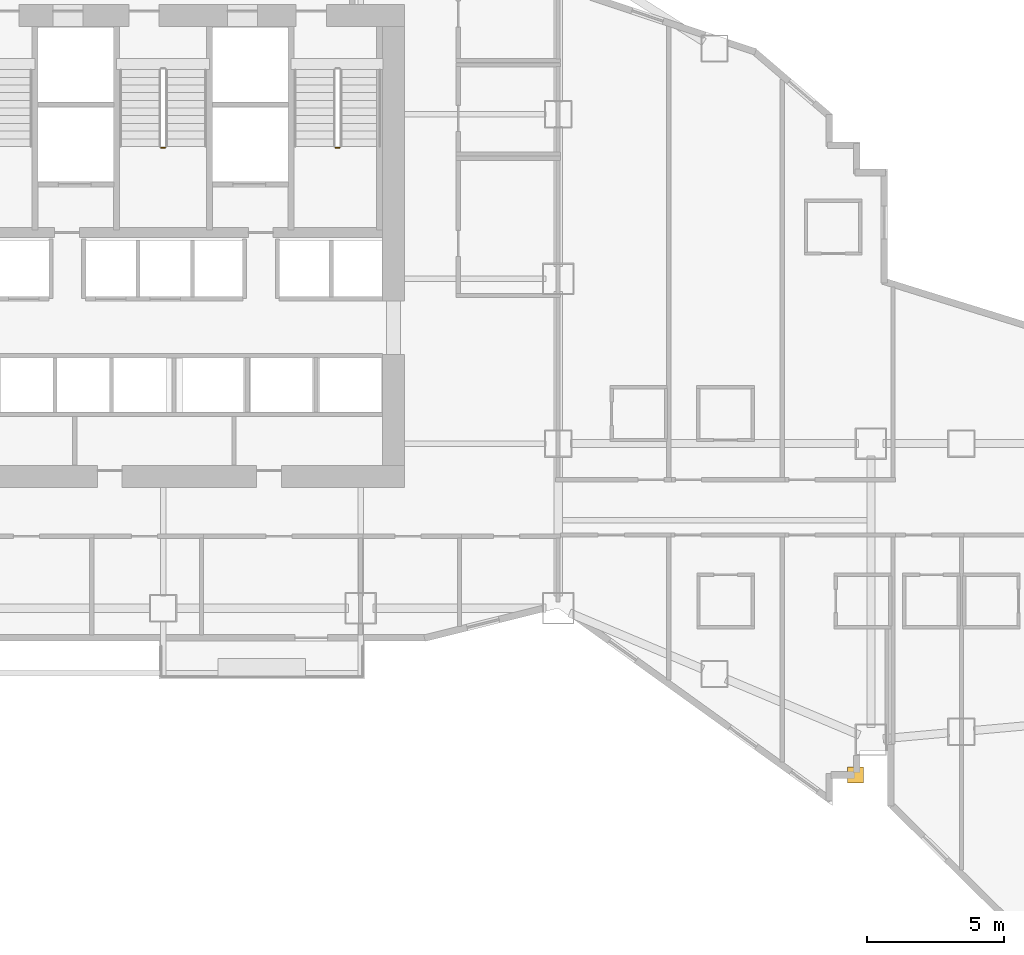
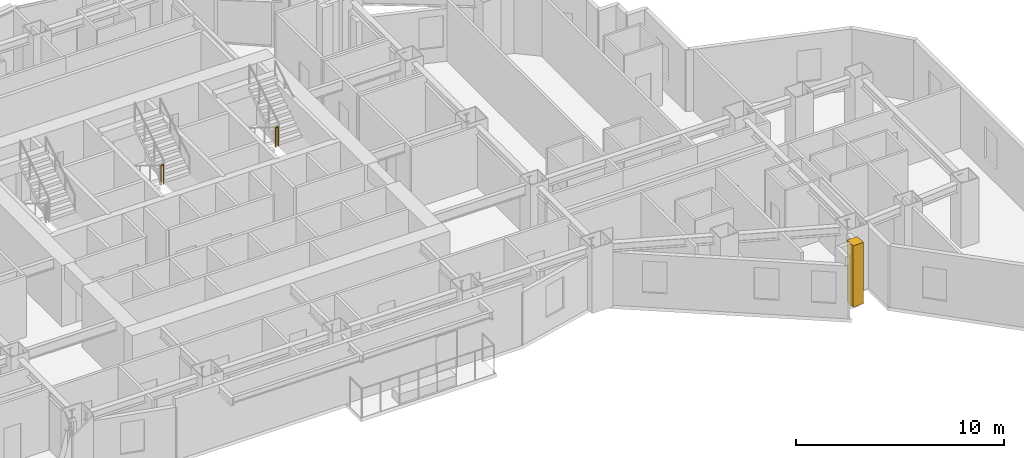
# One storey, part 14 of 16: 2 railings, 1 covering.
"""IFC4 building model written with IfcOpenShell, lengths in metres."""

from ifc_helpers import new_model, si_unit, direction, frame, origin, origin_2d, place, context, subcontext, project, spatial, rectangle, circle, extrude, material, layer, layer_set, type_object, element, save


model = new_model("IFC4")

# Units and contexts
model_context = context("Model", 3, precision=1e-05, world=origin(), true_north=direction((0.0, 1.0)))
body_context = subcontext(model_context, "Body", "Model", "MODEL_VIEW")
ifc_project = project(units=[si_unit("LENGTHUNIT", "METRE"), si_unit("AREAUNIT", "SQUARE_METRE"), si_unit("VOLUMEUNIT", "CUBIC_METRE"), si_unit("PLANEANGLEUNIT", "RADIAN"), si_unit("MASSUNIT", "GRAM", prefix="KILO")], contexts=[model_context])

# Site, building, storey
site_placement = place(None, origin())
site = spatial("IfcSite", under=ifc_project, at=site_placement, CompositionType="ELEMENT")
building_placement = place(site_placement, origin())
building = spatial("IfcBuilding", under=site, at=building_placement, Name="Haolan Belvedere Tower", CompositionType="ELEMENT")
storey_placement = place(building_placement, frame((0.0, 0.0, 47.60009765625)))
storey = spatial("IfcBuildingStorey", under=building, at=storey_placement, Name="L11", CompositionType="ELEMENT", Elevation=47.60009765625)

# Covering
ifc_material_1 = material(Name="Pale champagne-silver anodised aluminium rainscreen cladding", Category="aluminium")
ifc_layer = layer(ifc_material_1, 0.034912109375, Name="Pale champagne-silver anodised aluminium rainscreen cladding")
ifc_layer_set = layer_set([ifc_layer], Name="Pale champagne-silver anodised aluminium rainscreen cladding")
covering_type = type_object("IfcCoveringType", Name="COV-CLAD-35", PredefinedType="CLADDING", material=ifc_layer_set)
covering_placement = place(storey_placement, frame((63.637451171875, 15.52001953125, -0.000244140625), z_axis=(0.0, 0.0, 1.0), x_axis=(1.0, 0.0, 0.0)))
element("IfcCovering", 1, at=covering_placement, inside=storey, type_object=covering_type, Name="L11 pale-metal serrated corner cladding trim 4", PredefinedType="CLADDING", context=body_context, shape_type="SweptSolid", body=[
    extrude(rectangle(XDim=0.580078125, YDim=0.580078125, at=origin_2d()), origin(), (0.0, 0.0, 1.0), 3.60009765625),
])

# Railings
ifc_material_2 = material(Name="Brushed stainless steel 304", Category="steel")
railing_type = type_object("IfcRailingType", Name="RL-STAIR-GRD-1150", PredefinedType="GUARDRAIL", material=ifc_material_2)
railing_1_placement = place(storey_placement, frame((38.330078125, 38.3798828125, 1.89990234375)))
element("IfcRailing", 2, at=railing_1_placement, inside=storey, type_object=railing_type, Name="L11 ST3 stair guard 2", PredefinedType="GUARDRAIL", context=body_context, shape_type="SweptSolid", body=[
    extrude(circle(Radius=0.02392578125, at=origin_2d()), frame((0.0, 0.0, 1.1259765625), z_axis=(1.0, 0.0, 0.0), x_axis=(0.0, 1.0, 0.0)), (0.0, 0.0, 1.0), 0.139892578125),
    extrude(circle(Radius=0.02099609375, at=origin_2d()), origin(), (0.0, 0.0, 1.0), 1.101806640625),
    extrude(circle(Radius=0.02099609375, at=origin_2d()), frame((0.139892578125, 0.0, 0.0)), (0.0, 0.0, 1.0), 1.101806640625),
])
railing_2_placement = place(storey_placement, frame((44.68994140625, 38.3798828125, 1.89990234375)))
element("IfcRailing", 3, at=railing_2_placement, inside=storey, type_object=railing_type, Name="L11 ST2 stair guard 2", PredefinedType="GUARDRAIL", context=body_context, shape_type="SweptSolid", body=[
    extrude(circle(Radius=0.02392578125, at=origin_2d()), frame((0.0, 0.0, 1.1259765625), z_axis=(1.0, 0.0, 0.0), x_axis=(0.0, 1.0, 0.0)), (0.0, 0.0, 1.0), 0.14013671875),
    extrude(circle(Radius=0.02099609375, at=origin_2d()), origin(), (0.0, 0.0, 1.0), 1.101806640625),
    extrude(circle(Radius=0.02099609375, at=origin_2d()), frame((0.14013671875, 0.0, 0.0)), (0.0, 0.0, 1.0), 1.101806640625),
])

save(model, "model.ifc")
